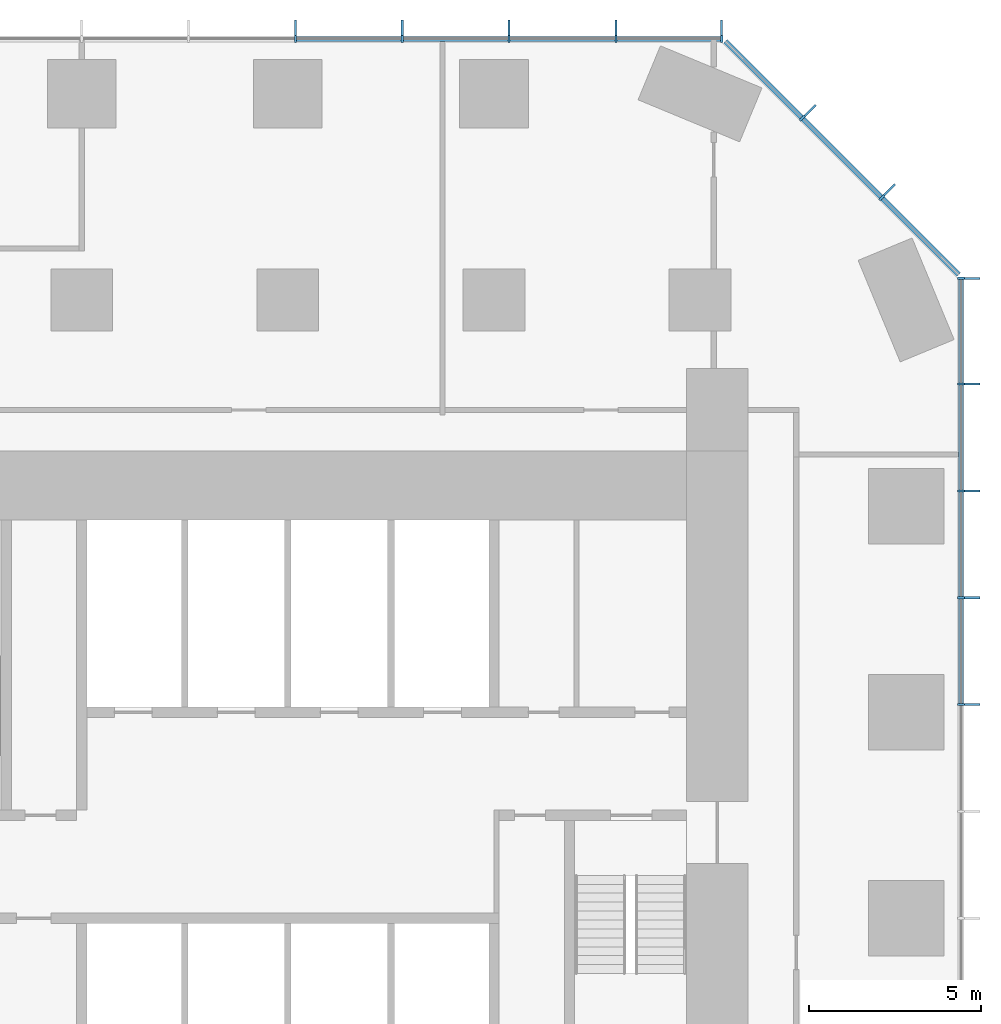
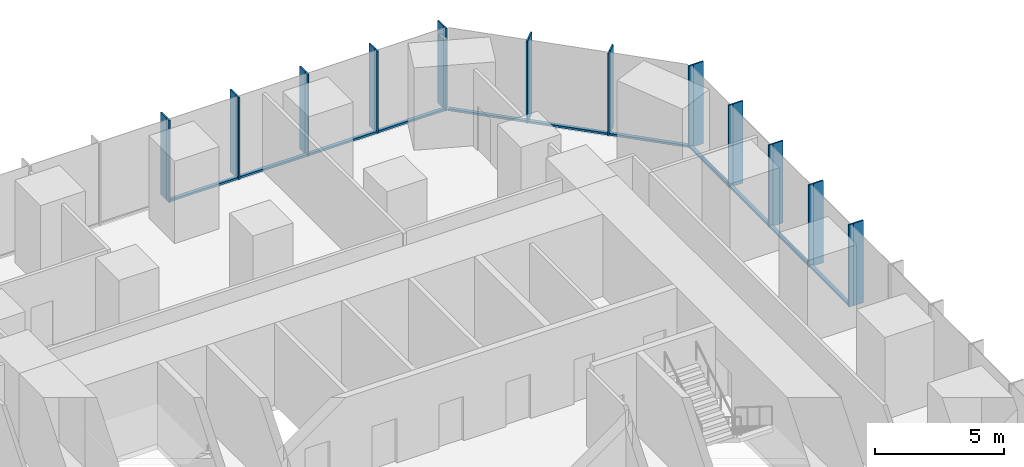
# One storey, part 6 of 12: 35 members, 3 elements without a shape of their own.
"""IFC4 building model written with IfcOpenShell, lengths in metres."""

from ifc_helpers import new_model, si_unit, direction, frame, origin, origin_2d, place, context, subcontext, project, spatial, rectangle, extrude, material, layer, layer_set, material_profile, profile_set, type_object, element, aggregate, save


model = new_model("IFC4")

# Units and contexts
model_context = context("Model", 3, precision=1e-05, world=origin(), true_north=direction((0.0, 1.0)))
body_context = subcontext(model_context, "Body", "Model", "MODEL_VIEW")
ifc_project = project(units=[si_unit("LENGTHUNIT", "METRE"), si_unit("AREAUNIT", "SQUARE_METRE"), si_unit("VOLUMEUNIT", "CUBIC_METRE"), si_unit("PLANEANGLEUNIT", "RADIAN"), si_unit("MASSUNIT", "GRAM", prefix="KILO")], contexts=[model_context])

# Site, building, storey
site_placement = place(None, origin())
site = spatial("IfcSite", under=ifc_project, at=site_placement, CompositionType="ELEMENT")
building_placement = place(site_placement, origin())
building = spatial("IfcBuilding", under=site, at=building_placement, Name="Highveld Stack Headquarters", CompositionType="ELEMENT")
storey_placement = place(building_placement, frame((0.0, 0.0, 22.10009765625)))
storey = spatial("IfcBuildingStorey", under=building, at=storey_placement, Name="L04", CompositionType="ELEMENT", Elevation=22.10009765625)

# Curtain wall, members
ifc_material_1 = material(Name="Aluminium bronze anodised", Category="aluminium")
ifc_layer_1 = layer(ifc_material_1, 0.199951171875)
ifc_layer_set_1 = layer_set([ifc_layer_1], Name="Aluminium bronze anodised")
curtain_wall_type_1 = type_object("IfcCurtainWallType", Name="CW1 TOWER UNITISED CURTAIN WALL", PredefinedType="NOTDEFINED", material=ifc_layer_set_1)
curtain_wall_1_placement = place(storey_placement, origin())
curtain_wall_1 = element("IfcCurtainWall", 1, at=curtain_wall_1_placement, inside=storey, type_object=curtain_wall_type_1, Name="Curtain wall CW1 L04 E", PredefinedType="NOTDEFINED")
ifc_material_2 = material(Name="Aluminium bronze anodised", Category="aluminium")
ifc_material_profile_1 = material_profile(ifc_material_2, rectangle(XDim=0.449951171875, YDim=0.06005859375, at=origin_2d()), Name="FIN 450x60")
ifc_profile_set_1 = profile_set([ifc_material_profile_1], Name="Aluminium bronze anodised")
member_type_1 = type_object("IfcMemberType", Name="CW1 BRONZE FIN 450x60", PredefinedType="USERDEFINED", material=ifc_profile_set_1)
member_1_placement = place(storey_placement, frame((25.925048828125, 6.220947265625, 0.0), z_axis=(0.0, 0.0, 1.0), x_axis=(-1.0, 0.0, 0.0)))
member_1 = element("IfcMember", 2, at=member_1_placement, type_object=member_type_1, Name="CW1 fin L04 9", ObjectType="FIN", PredefinedType="USERDEFINED", context=body_context, shape_type="SweptSolid", body=[
    extrude(rectangle(XDim=0.449951171875, YDim=0.06005859375, at=origin_2d()), origin(), (0.0, 0.0, 1.0), 3.89990234375),
])
member_2_placement = place(storey_placement, frame((25.925048828125, 9.331298828125, 0.0), z_axis=(0.0, 0.0, 1.0), x_axis=(-1.0, 0.0, 0.0)))
member_2 = element("IfcMember", 3, at=member_2_placement, type_object=member_type_1, Name="CW1 fin L04 10", ObjectType="FIN", PredefinedType="USERDEFINED", context=body_context, shape_type="SweptSolid", body=[
    extrude(rectangle(XDim=0.449951171875, YDim=0.06005859375, at=origin_2d()), origin(), (0.0, 0.0, 1.0), 3.89990234375),
])
member_3_placement = place(storey_placement, frame((25.925048828125, 12.44189453125, 0.0), z_axis=(0.0, 0.0, 1.0), x_axis=(-1.0, 0.0, 0.0)))
member_3 = element("IfcMember", 4, at=member_3_placement, type_object=member_type_1, Name="CW1 fin L04 11", ObjectType="FIN", PredefinedType="USERDEFINED", context=body_context, shape_type="SweptSolid", body=[
    extrude(rectangle(XDim=0.449951171875, YDim=0.06005859375, at=origin_2d()), origin(), (0.0, 0.0, 1.0), 3.89990234375),
])
member_4_placement = place(storey_placement, frame((25.925048828125, 15.55224609375, 0.0), z_axis=(0.0, 0.0, 1.0), x_axis=(-1.0, 0.0, 0.0)))
member_4 = element("IfcMember", 5, at=member_4_placement, type_object=member_type_1, Name="CW1 fin L04 12", ObjectType="FIN", PredefinedType="USERDEFINED", context=body_context, shape_type="SweptSolid", body=[
    extrude(rectangle(XDim=0.449951171875, YDim=0.06005859375, at=origin_2d()), origin(), (0.0, 0.0, 1.0), 3.89990234375),
])
member_5_placement = place(storey_placement, frame((25.925048828125, 18.630126953125, 0.0), z_axis=(0.0, 0.0, 1.0), x_axis=(-1.0, 0.0, 0.0)))
member_5 = element("IfcMember", 6, at=member_5_placement, type_object=member_type_1, Name="CW1 fin L04 13", ObjectType="FIN", PredefinedType="USERDEFINED", context=body_context, shape_type="SweptSolid", body=[
    extrude(rectangle(XDim=0.449951171875, YDim=0.06005859375, at=origin_2d()), origin(), (0.0, 0.0, 1.0), 3.89990234375),
])

curtain_wall_2_placement = place(storey_placement, origin())
curtain_wall_2 = element("IfcCurtainWall", 7, at=curtain_wall_2_placement, inside=storey, type_object=curtain_wall_type_1, Name="Curtain wall CW1 L04 N", PredefinedType="NOTDEFINED")
member_6_placement = place(storey_placement, frame((18.630126953125, 25.925048828125, 0.0), z_axis=(0.0, 0.0, 1.0), x_axis=(0.0, -1.0, 0.0)))
member_6 = element("IfcMember", 8, at=member_6_placement, type_object=member_type_1, Name="CW1 fin L04 1", ObjectType="FIN", PredefinedType="USERDEFINED", context=body_context, shape_type="SweptSolid", body=[
    extrude(rectangle(XDim=0.449951171875, YDim=0.06005859375, at=origin_2d()), origin(), (0.0, 0.0, 1.0), 3.89990234375),
])
member_7_placement = place(storey_placement, frame((15.55224609375, 25.925048828125, 0.0), z_axis=(0.0, 0.0, 1.0), x_axis=(0.0, -1.0, 0.0)))
member_7 = element("IfcMember", 9, at=member_7_placement, type_object=member_type_1, Name="CW1 fin L04 2", ObjectType="FIN", PredefinedType="USERDEFINED", context=body_context, shape_type="SweptSolid", body=[
    extrude(rectangle(XDim=0.449951171875, YDim=0.06005859375, at=origin_2d()), origin(), (0.0, 0.0, 1.0), 3.89990234375),
])
member_8_placement = place(storey_placement, frame((12.44189453125, 25.925048828125, 0.0), z_axis=(0.0, 0.0, 1.0), x_axis=(0.0, -1.0, 0.0)))
member_8 = element("IfcMember", 10, at=member_8_placement, type_object=member_type_1, Name="CW1 fin L04 3", ObjectType="FIN", PredefinedType="USERDEFINED", context=body_context, shape_type="SweptSolid", body=[
    extrude(rectangle(XDim=0.449951171875, YDim=0.06005859375, at=origin_2d()), origin(), (0.0, 0.0, 1.0), 3.89990234375),
])
member_9_placement = place(storey_placement, frame((9.331298828125, 25.925048828125, 0.0), z_axis=(0.0, 0.0, 1.0), x_axis=(0.0, -1.0, 0.0)))
member_9 = element("IfcMember", 11, at=member_9_placement, type_object=member_type_1, Name="CW1 fin L04 4", ObjectType="FIN", PredefinedType="USERDEFINED", context=body_context, shape_type="SweptSolid", body=[
    extrude(rectangle(XDim=0.449951171875, YDim=0.06005859375, at=origin_2d()), origin(), (0.0, 0.0, 1.0), 3.89990234375),
])
member_10_placement = place(storey_placement, frame((6.220947265625, 25.925048828125, 0.0), z_axis=(0.0, 0.0, 1.0), x_axis=(0.0, -1.0, 0.0)))
member_10 = element("IfcMember", 12, at=member_10_placement, type_object=member_type_1, Name="CW1 fin L04 5", ObjectType="FIN", PredefinedType="USERDEFINED", context=body_context, shape_type="SweptSolid", body=[
    extrude(rectangle(XDim=0.449951171875, YDim=0.06005859375, at=origin_2d()), origin(), (0.0, 0.0, 1.0), 3.89990234375),
])

# Member
ifc_material_3 = material(Name="Aluminium bronze anodised", Category="aluminium")
ifc_material_profile_2 = material_profile(ifc_material_3, rectangle(XDim=0.199951171875, YDim=0.06494140625, at=origin_2d()), Name="CW1 MULLION 65x200")
ifc_profile_set_2 = profile_set([ifc_material_profile_2], Name="Aluminium bronze anodised")
member_type_2 = type_object("IfcMemberType", Name="CW1 MULLION 65x200", PredefinedType="MULLION", material=ifc_profile_set_2)
member_11_placement = place(storey_placement, frame((25.60009765625, 6.220947265625, 0.0), z_axis=(0.0, 0.0, 1.0), x_axis=(-1.0, 0.0, 0.0)))
member_11 = element("IfcMember", 13, at=member_11_placement, type_object=member_type_2, Name="CW1 mullion L04 9", PredefinedType="MULLION", context=body_context, shape_type="SweptSolid", body=[
    extrude(rectangle(XDim=0.199951171875, YDim=0.06494140625, at=origin_2d()), origin(), (0.0, 0.0, 1.0), 3.89990234375),
])

member_12_placement = place(storey_placement, frame((25.60009765625, 9.331298828125, 0.0), z_axis=(0.0, 0.0, 1.0), x_axis=(-1.0, 0.0, 0.0)))
member_12 = element("IfcMember", 14, at=member_12_placement, type_object=member_type_2, Name="CW1 mullion L04 10", PredefinedType="MULLION", context=body_context, shape_type="SweptSolid", body=[
    extrude(rectangle(XDim=0.199951171875, YDim=0.06494140625, at=origin_2d()), origin(), (0.0, 0.0, 1.0), 3.89990234375),
])

member_13_placement = place(storey_placement, frame((25.60009765625, 12.44189453125, 0.0), z_axis=(0.0, 0.0, 1.0), x_axis=(-1.0, 0.0, 0.0)))
member_13 = element("IfcMember", 15, at=member_13_placement, type_object=member_type_2, Name="CW1 mullion L04 11", PredefinedType="MULLION", context=body_context, shape_type="SweptSolid", body=[
    extrude(rectangle(XDim=0.199951171875, YDim=0.06494140625, at=origin_2d()), origin(), (0.0, 0.0, 1.0), 3.89990234375),
])

member_14_placement = place(storey_placement, frame((25.60009765625, 15.55224609375, 0.0), z_axis=(0.0, 0.0, 1.0), x_axis=(-1.0, 0.0, 0.0)))
member_14 = element("IfcMember", 16, at=member_14_placement, type_object=member_type_2, Name="CW1 mullion L04 12", PredefinedType="MULLION", context=body_context, shape_type="SweptSolid", body=[
    extrude(rectangle(XDim=0.199951171875, YDim=0.06494140625, at=origin_2d()), origin(), (0.0, 0.0, 1.0), 3.89990234375),
])

member_15_placement = place(storey_placement, frame((25.60009765625, 18.630126953125, 0.0), z_axis=(0.0, 0.0, 1.0), x_axis=(-1.0, 0.0, 0.0)))
member_15 = element("IfcMember", 17, at=member_15_placement, type_object=member_type_2, Name="CW1 mullion L04 13", PredefinedType="MULLION", context=body_context, shape_type="SweptSolid", body=[
    extrude(rectangle(XDim=0.199951171875, YDim=0.06494140625, at=origin_2d()), origin(), (0.0, 0.0, 1.0), 3.89990234375),
])

member_16_placement = place(storey_placement, frame((18.630126953125, 25.60009765625, 0.0), z_axis=(0.0, 0.0, 1.0), x_axis=(0.0, -1.0, 0.0)))
member_16 = element("IfcMember", 18, at=member_16_placement, type_object=member_type_2, Name="CW1 mullion L04 1", PredefinedType="MULLION", context=body_context, shape_type="SweptSolid", body=[
    extrude(rectangle(XDim=0.199951171875, YDim=0.06494140625, at=origin_2d()), origin(), (0.0, 0.0, 1.0), 3.89990234375),
])

member_17_placement = place(storey_placement, frame((15.55224609375, 25.60009765625, 0.0), z_axis=(0.0, 0.0, 1.0), x_axis=(0.0, -1.0, 0.0)))
member_17 = element("IfcMember", 19, at=member_17_placement, type_object=member_type_2, Name="CW1 mullion L04 2", PredefinedType="MULLION", context=body_context, shape_type="SweptSolid", body=[
    extrude(rectangle(XDim=0.199951171875, YDim=0.06494140625, at=origin_2d()), origin(), (0.0, 0.0, 1.0), 3.89990234375),
])

member_18_placement = place(storey_placement, frame((12.44189453125, 25.60009765625, 0.0), z_axis=(0.0, 0.0, 1.0), x_axis=(0.0, -1.0, 0.0)))
member_18 = element("IfcMember", 20, at=member_18_placement, type_object=member_type_2, Name="CW1 mullion L04 3", PredefinedType="MULLION", context=body_context, shape_type="SweptSolid", body=[
    extrude(rectangle(XDim=0.199951171875, YDim=0.06494140625, at=origin_2d()), origin(), (0.0, 0.0, 1.0), 3.89990234375),
])

member_19_placement = place(storey_placement, frame((9.331298828125, 25.60009765625, 0.0), z_axis=(0.0, 0.0, 1.0), x_axis=(0.0, -1.0, 0.0)))
member_19 = element("IfcMember", 21, at=member_19_placement, type_object=member_type_2, Name="CW1 mullion L04 4", PredefinedType="MULLION", context=body_context, shape_type="SweptSolid", body=[
    extrude(rectangle(XDim=0.199951171875, YDim=0.06494140625, at=origin_2d()), origin(), (0.0, 0.0, 1.0), 3.89990234375),
])

member_20_placement = place(storey_placement, frame((6.220947265625, 25.60009765625, 0.0), z_axis=(0.0, 0.0, 1.0), x_axis=(0.0, -1.0, 0.0)))
member_20 = element("IfcMember", 22, at=member_20_placement, type_object=member_type_2, Name="CW1 mullion L04 5", PredefinedType="MULLION", context=body_context, shape_type="SweptSolid", body=[
    extrude(rectangle(XDim=0.199951171875, YDim=0.06494140625, at=origin_2d()), origin(), (0.0, 0.0, 1.0), 3.89990234375),
])

ifc_material_4 = material(Name="Aluminium bronze anodised", Category="aluminium")
ifc_material_profile_3 = material_profile(ifc_material_4, rectangle(XDim=0.14990234375, YDim=0.10009765625, at=origin_2d()), Name="CW1 TRANSOM 150x100")
ifc_profile_set_3 = profile_set([ifc_material_profile_3], Name="Aluminium bronze anodised")
member_type_3 = type_object("IfcMemberType", Name="CW1 STACK TRANSOM 150x100", PredefinedType="USERDEFINED", material=ifc_profile_set_3)
member_21_placement = place(storey_placement, frame((25.60009765625, 6.25341796875, 0.0498046875), z_axis=(0.0, 1.0, 0.0), x_axis=(-1.0, 0.0, 0.0)))
member_21 = element("IfcMember", 23, at=member_21_placement, type_object=member_type_3, Name="CW1 transom L04 9.1", ObjectType="TRANSOM", PredefinedType="USERDEFINED", context=body_context, shape_type="SweptSolid", body=[
    extrude(rectangle(XDim=0.14990234375, YDim=0.10009765625, at=origin_2d()), origin(), (0.0, 0.0, 1.0), 3.04541015625),
])

member_22_placement = place(storey_placement, frame((25.60009765625, 9.36376953125, 0.0498046875), z_axis=(0.0, 1.0, 0.0), x_axis=(-1.0, 0.0, 0.0)))
member_22 = element("IfcMember", 24, at=member_22_placement, type_object=member_type_3, Name="CW1 transom L04 10.1", ObjectType="TRANSOM", PredefinedType="USERDEFINED", context=body_context, shape_type="SweptSolid", body=[
    extrude(rectangle(XDim=0.14990234375, YDim=0.10009765625, at=origin_2d()), origin(), (0.0, 0.0, 1.0), 3.04541015625),
])

member_23_placement = place(storey_placement, frame((25.60009765625, 12.474365234375, 0.0498046875), z_axis=(0.0, 1.0, 0.0), x_axis=(-1.0, 0.0, 0.0)))
member_23 = element("IfcMember", 25, at=member_23_placement, type_object=member_type_3, Name="CW1 transom L04 11.1", ObjectType="TRANSOM", PredefinedType="USERDEFINED", context=body_context, shape_type="SweptSolid", body=[
    extrude(rectangle(XDim=0.14990234375, YDim=0.10009765625, at=origin_2d()), origin(), (0.0, 0.0, 1.0), 3.04541015625),
])

member_24_placement = place(storey_placement, frame((25.60009765625, 15.584716796875, 0.0498046875), z_axis=(0.0, 1.0, 0.0), x_axis=(-1.0, 0.0, 0.0)))
member_24 = element("IfcMember", 26, at=member_24_placement, type_object=member_type_3, Name="CW1 transom L04 12.1", ObjectType="TRANSOM", PredefinedType="USERDEFINED", context=body_context, shape_type="SweptSolid", body=[
    extrude(rectangle(XDim=0.14990234375, YDim=0.10009765625, at=origin_2d()), origin(), (0.0, 0.0, 1.0), 3.012939453125),
])

aggregate(curtain_wall_1, [member_11, member_1, member_12, member_2, member_13, member_3, member_14, member_4, member_15, member_5, member_21, member_22, member_23, member_24])

member_25_placement = place(storey_placement, frame((18.59765625, 25.60009765625, 0.0498046875), z_axis=(-1.0, 0.0, 0.0), x_axis=(0.0, -1.0, 0.0)))
member_25 = element("IfcMember", 27, at=member_25_placement, type_object=member_type_3, Name="CW1 transom L04 1.1", ObjectType="TRANSOM", PredefinedType="USERDEFINED", context=body_context, shape_type="SweptSolid", body=[
    extrude(rectangle(XDim=0.14990234375, YDim=0.10009765625, at=origin_2d()), origin(), (0.0, 0.0, 1.0), 3.012939453125),
])

member_26_placement = place(storey_placement, frame((15.519775390625, 25.60009765625, 0.0498046875), z_axis=(-1.0, 0.0, 0.0), x_axis=(0.0, -1.0, 0.0)))
member_26 = element("IfcMember", 28, at=member_26_placement, type_object=member_type_3, Name="CW1 transom L04 2.1", ObjectType="TRANSOM", PredefinedType="USERDEFINED", context=body_context, shape_type="SweptSolid", body=[
    extrude(rectangle(XDim=0.14990234375, YDim=0.10009765625, at=origin_2d()), origin(), (0.0, 0.0, 1.0), 3.04541015625),
])

member_27_placement = place(storey_placement, frame((12.4091796875, 25.60009765625, 0.0498046875), z_axis=(-1.0, 0.0, 0.0), x_axis=(0.0, -1.0, 0.0)))
member_27 = element("IfcMember", 29, at=member_27_placement, type_object=member_type_3, Name="CW1 transom L04 3.1", ObjectType="TRANSOM", PredefinedType="USERDEFINED", context=body_context, shape_type="SweptSolid", body=[
    extrude(rectangle(XDim=0.14990234375, YDim=0.10009765625, at=origin_2d()), origin(), (0.0, 0.0, 1.0), 3.045166015625),
])

member_28_placement = place(storey_placement, frame((9.298828125, 25.60009765625, 0.0498046875), z_axis=(-1.0, 0.0, 0.0), x_axis=(0.0, -1.0, 0.0)))
member_28 = element("IfcMember", 30, at=member_28_placement, type_object=member_type_3, Name="CW1 transom L04 4.1", ObjectType="TRANSOM", PredefinedType="USERDEFINED", context=body_context, shape_type="SweptSolid", body=[
    extrude(rectangle(XDim=0.14990234375, YDim=0.10009765625, at=origin_2d()), origin(), (0.0, 0.0, 1.0), 3.04541015625),
])

aggregate(curtain_wall_2, [member_16, member_6, member_17, member_7, member_18, member_8, member_19, member_9, member_20, member_10, member_25, member_26, member_27, member_28])

# Curtain wall, members
ifc_material_5 = material(Name="Aluminium bronze anodised", Category="aluminium")
ifc_layer_2 = layer(ifc_material_5, 0.199951171875)
ifc_layer_set_2 = layer_set([ifc_layer_2], Name="Aluminium bronze anodised")
curtain_wall_type_2 = type_object("IfcCurtainWallType", Name="CW2 TOWER CHAMFER UNITISED CURTAIN WALL", PredefinedType="NOTDEFINED", material=ifc_layer_set_2)
curtain_wall_3_placement = place(storey_placement, origin())
curtain_wall_3 = element("IfcCurtainWall", 31, at=curtain_wall_3_placement, inside=storey, type_object=curtain_wall_type_2, Name="Curtain wall CW2 L04 NE", PredefinedType="NOTDEFINED")
ifc_material_6 = material(Name="Aluminium bronze anodised", Category="aluminium")
ifc_material_profile_4 = material_profile(ifc_material_6, rectangle(XDim=0.449951171875, YDim=0.06005859375, at=origin_2d()), Name="FIN 450x60")
ifc_profile_set_4 = profile_set([ifc_material_profile_4], Name="Aluminium bronze anodised")
member_type_4 = type_object("IfcMemberType", Name="CW2 BRONZE FIN 450x60", PredefinedType="USERDEFINED", material=ifc_profile_set_4)
member_29_placement = place(storey_placement, frame((23.517333984375, 21.204833984375, 0.0), z_axis=(0.0, 0.0, 1.0), x_axis=(-0.707106781187, -0.707106781187, 0.0)))
member_29 = element("IfcMember", 32, at=member_29_placement, type_object=member_type_4, Name="CW2 fin L04 1", ObjectType="FIN", PredefinedType="USERDEFINED", context=body_context, shape_type="SweptSolid", body=[
    extrude(rectangle(XDim=0.449951171875, YDim=0.06005859375, at=origin_2d()), origin(), (0.0, 0.0, 1.0), 3.89990234375),
])
member_30_placement = place(storey_placement, frame((21.204833984375, 23.517333984375, 0.0), z_axis=(0.0, 0.0, 1.0), x_axis=(-0.707106781187, -0.707106781187, 0.0)))
member_30 = element("IfcMember", 33, at=member_30_placement, type_object=member_type_4, Name="CW2 fin L04 2", ObjectType="FIN", PredefinedType="USERDEFINED", context=body_context, shape_type="SweptSolid", body=[
    extrude(rectangle(XDim=0.449951171875, YDim=0.06005859375, at=origin_2d()), origin(), (0.0, 0.0, 1.0), 3.89990234375),
])
ifc_material_7 = material(Name="Aluminium bronze anodised", Category="aluminium")
ifc_material_profile_5 = material_profile(ifc_material_7, rectangle(XDim=0.199951171875, YDim=0.06494140625, at=origin_2d()), Name="CW2 MULLION 65x200")
ifc_profile_set_5 = profile_set([ifc_material_profile_5], Name="Aluminium bronze anodised")
member_type_5 = type_object("IfcMemberType", Name="CW2 MULLION 65x200", PredefinedType="MULLION", material=ifc_profile_set_5)
member_31_placement = place(storey_placement, frame((23.28759765625, 20.97509765625, 0.0), z_axis=(0.0, 0.0, 1.0), x_axis=(-0.707106781187, -0.707106781187, 0.0)))
member_31 = element("IfcMember", 34, at=member_31_placement, type_object=member_type_5, Name="CW2 mullion L04 1", PredefinedType="MULLION", context=body_context, shape_type="SweptSolid", body=[
    extrude(rectangle(XDim=0.199951171875, YDim=0.06494140625, at=origin_2d()), origin(), (0.0, 0.0, 1.0), 3.89990234375),
])
member_32_placement = place(storey_placement, frame((20.97509765625, 23.28759765625, 0.0), z_axis=(0.0, 0.0, 1.0), x_axis=(-0.707106781187, -0.707106781187, 0.0)))
member_32 = element("IfcMember", 35, at=member_32_placement, type_object=member_type_5, Name="CW2 mullion L04 2", PredefinedType="MULLION", context=body_context, shape_type="SweptSolid", body=[
    extrude(rectangle(XDim=0.199951171875, YDim=0.06494140625, at=origin_2d()), origin(), (0.0, 0.0, 1.0), 3.89990234375),
])
ifc_material_8 = material(Name="Aluminium bronze anodised", Category="aluminium")
ifc_material_profile_6 = material_profile(ifc_material_8, rectangle(XDim=0.14990234375, YDim=0.10009765625, at=origin_2d()), Name="CW2 TRANSOM 150x100")
ifc_profile_set_6 = profile_set([ifc_material_profile_6], Name="Aluminium bronze anodised")
member_type_6 = type_object("IfcMemberType", Name="CW2 STACK TRANSOM 150x100", PredefinedType="USERDEFINED", material=ifc_profile_set_6)
member_33_placement = place(storey_placement, frame((25.529296875, 18.7333984375, 0.0498046875), z_axis=(-0.707106781187, 0.707106781187, 0.0), x_axis=(-0.707106781187, -0.707106781187, 0.0)))
member_33 = element("IfcMember", 36, at=member_33_placement, type_object=member_type_6, Name="CW2 transom L04 1.1", ObjectType="TRANSOM", PredefinedType="USERDEFINED", context=body_context, shape_type="SweptSolid", body=[
    extrude(rectangle(XDim=0.14990234375, YDim=0.10009765625, at=origin_2d()), origin(), (0.0, 0.0, 1.0), 3.1376953125),
])
member_34_placement = place(storey_placement, frame((23.2646484375, 20.998046875, 0.0498046875), z_axis=(-0.707106781187, 0.707106781187, 0.0), x_axis=(-0.707106781187, -0.707106781187, 0.0)))
member_34 = element("IfcMember", 37, at=member_34_placement, type_object=member_type_6, Name="CW2 transom L04 2.1", ObjectType="TRANSOM", PredefinedType="USERDEFINED", context=body_context, shape_type="SweptSolid", body=[
    extrude(rectangle(XDim=0.14990234375, YDim=0.10009765625, at=origin_2d()), origin(), (0.0, 0.0, 1.0), 3.20556640625),
])
member_35_placement = place(storey_placement, frame((20.9521484375, 23.310546875, 0.0498046875), z_axis=(-0.707106781187, 0.707106781187, 0.0), x_axis=(-0.707106781187, -0.707106781187, 0.0)))
member_35 = element("IfcMember", 38, at=member_35_placement, type_object=member_type_6, Name="CW2 transom L04 3.1", ObjectType="TRANSOM", PredefinedType="USERDEFINED", context=body_context, shape_type="SweptSolid", body=[
    extrude(rectangle(XDim=0.14990234375, YDim=0.10009765625, at=origin_2d()), origin(), (0.0, 0.0, 1.0), 3.1376953125),
])
aggregate(curtain_wall_3, [member_31, member_29, member_32, member_30, member_33, member_34, member_35])

save(model, "model.ifc")
